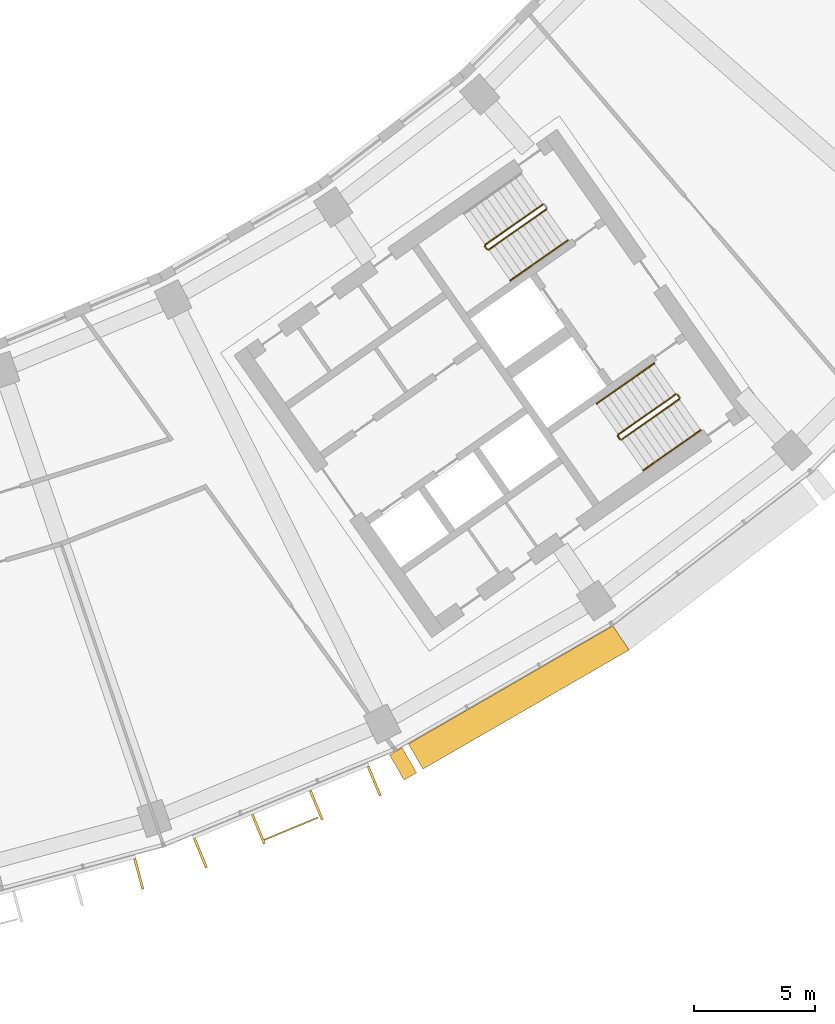
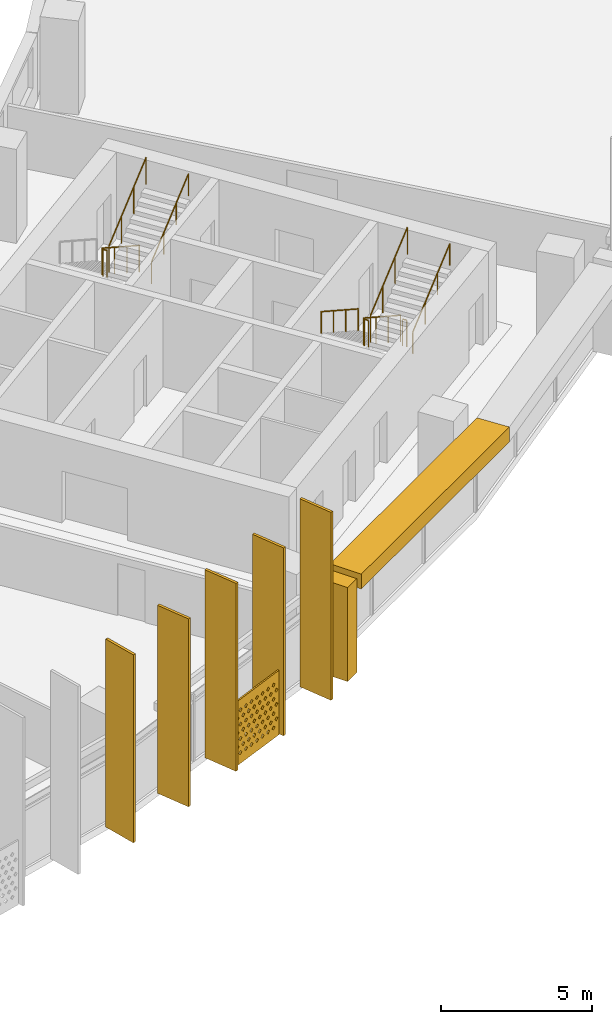
# One storey, part 25 of 27: 8 railings, 8 shading devices.
"""IFC4 building model written with IfcOpenShell, lengths in metres."""

from ifc_helpers import new_model, si_unit, direction, frame, origin, origin_2d, place, context, subcontext, project, spatial, polyline, rectangle, circle, outline, extrude, material, material_profile, profile_set, type_object, element, save


model = new_model("IFC4")

# Units and contexts
model_context = context("Model", 3, precision=1e-05, world=origin(), true_north=direction((0.0, 1.0)))
body_context = subcontext(model_context, "Body", "Model", "MODEL_VIEW")
ifc_project = project(units=[si_unit("LENGTHUNIT", "METRE"), si_unit("AREAUNIT", "SQUARE_METRE"), si_unit("VOLUMEUNIT", "CUBIC_METRE"), si_unit("PLANEANGLEUNIT", "RADIAN"), si_unit("MASSUNIT", "GRAM", prefix="KILO")], contexts=[model_context])

# Site, building, storey
site_placement = place(None, origin())
site = spatial("IfcSite", under=ifc_project, at=site_placement, CompositionType="ELEMENT")
building_placement = place(site_placement, origin())
building = spatial("IfcBuilding", under=site, at=building_placement, Name="Qamariyya Broadcast Tower", CompositionType="ELEMENT")
storey_placement = place(building_placement, frame((0.0, 0.0, 164.5)))
storey = spatial("IfcBuildingStorey", under=building, at=storey_placement, Name="L38", CompositionType="ELEMENT", Elevation=164.5)

# Shading devices
ifc_material_1 = material(Name="Steel S355 powder coated deep red", Category="steel")
shading_device_type_1 = type_object("IfcShadingDeviceType", Name="Deep red frame, powder coated steel box section", PredefinedType="USERDEFINED", material=ifc_material_1)
shading_device_1_placement = place(storey_placement, origin())
element("IfcShadingDevice", 1, at=shading_device_1_placement, inside=storey, type_object=shading_device_type_1, Name="e-frm-B3-F4-posta-L38", ObjectType="FRAME", PredefinedType="USERDEFINED", context=body_context, shape_type="SweptSolid", body=[
    extrude(outline(polyline([(34.680908203125, -71.0029296875), (35.281005859375, -72.042236328125), (35.800537109375, -71.7421875), (35.20068359375, -70.702880859375), (34.680908203125, -71.0029296875)])), origin(), (0.0, 0.0, 1.0), 3.800048828125),
])
shading_device_2_placement = place(storey_placement, frame((0.0, 0.0, 3.199951171875)))
element("IfcShadingDevice", 2, at=shading_device_2_placement, inside=storey, type_object=shading_device_type_1, Name="e-frm-B3-F4-top0", ObjectType="FRAME", PredefinedType="USERDEFINED", context=body_context, shape_type="SweptSolid", body=[
    extrude(outline(polyline([(35.46044921875, -70.552978515625), (36.060302734375, -71.59228515625), (44.55810546875, -66.68603515625), (43.89013671875, -65.68603515625), (35.46044921875, -70.552978515625)])), origin(), (0.0, 0.0, 1.0), 0.60009765625),
])
ifc_material_2 = material(Name="Perforated glazed terracotta", Category="masonry")
ifc_material_profile_1 = material_profile(ifc_material_2, outline(polyline([(-1.199951171875, -1.300048828125), (1.199951171875, -1.300048828125), (1.199951171875, 1.300048828125), (-1.199951171875, 1.300048828125), (-1.199951171875, -1.300048828125)]), holes=[polyline([(-0.81494140625, -0.86669921875), (-0.89990234375, -0.78173828125), (-0.985107421875, -0.86669921875), (-0.89990234375, -0.95166015625), (-0.81494140625, -0.86669921875)]), polyline([(-0.514892578125, -0.86669921875), (-0.60009765625, -0.78173828125), (-0.68505859375, -0.86669921875), (-0.60009765625, -0.95166015625), (-0.514892578125, -0.86669921875)]), polyline([(-0.215087890625, -0.86669921875), (-0.300048828125, -0.78173828125), (-0.385009765625, -0.86669921875), (-0.300048828125, -0.95166015625), (-0.215087890625, -0.86669921875)]), polyline([(0.0849609375, -0.86669921875), (0.0, -0.78173828125), (-0.0849609375, -0.86669921875), (0.0, -0.95166015625), (0.0849609375, -0.86669921875)]), polyline([(0.385009765625, -0.86669921875), (0.300048828125, -0.78173828125), (0.215087890625, -0.86669921875), (0.300048828125, -0.95166015625), (0.385009765625, -0.86669921875)]), polyline([(0.68505859375, -0.86669921875), (0.60009765625, -0.78173828125), (0.514892578125, -0.86669921875), (0.60009765625, -0.95166015625), (0.68505859375, -0.86669921875)]), polyline([(0.985107421875, -0.86669921875), (0.89990234375, -0.78173828125), (0.81494140625, -0.86669921875), (0.89990234375, -0.95166015625), (0.985107421875, -0.86669921875)]), polyline([(-0.965087890625, -0.577880859375), (-1.050048828125, -0.49267578125), (-1.135009765625, -0.577880859375), (-1.050048828125, -0.662841796875), (-0.965087890625, -0.577880859375)]), polyline([(-0.6650390625, -0.577880859375), (-0.75, -0.49267578125), (-0.8349609375, -0.577880859375), (-0.75, -0.662841796875), (-0.6650390625, -0.577880859375)]), polyline([(-0.364990234375, -0.577880859375), (-0.449951171875, -0.49267578125), (-0.534912109375, -0.577880859375), (-0.449951171875, -0.662841796875), (-0.364990234375, -0.577880859375)]), polyline([(-0.06494140625, -0.577880859375), (-0.14990234375, -0.49267578125), (-0.235107421875, -0.577880859375), (-0.14990234375, -0.662841796875), (-0.06494140625, -0.577880859375)]), polyline([(0.235107421875, -0.577880859375), (0.14990234375, -0.49267578125), (0.06494140625, -0.577880859375), (0.14990234375, -0.662841796875), (0.235107421875, -0.577880859375)]), polyline([(0.534912109375, -0.577880859375), (0.449951171875, -0.49267578125), (0.364990234375, -0.577880859375), (0.449951171875, -0.662841796875), (0.534912109375, -0.577880859375)]), polyline([(0.8349609375, -0.577880859375), (0.75, -0.49267578125), (0.6650390625, -0.577880859375), (0.75, -0.662841796875), (0.8349609375, -0.577880859375)]), polyline([(1.135009765625, -0.577880859375), (1.050048828125, -0.49267578125), (0.965087890625, -0.577880859375), (1.050048828125, -0.662841796875), (1.135009765625, -0.577880859375)]), polyline([(-0.81494140625, -0.288818359375), (-0.89990234375, -0.203857421875), (-0.985107421875, -0.288818359375), (-0.89990234375, -0.373779296875), (-0.81494140625, -0.288818359375)]), polyline([(-0.514892578125, -0.288818359375), (-0.60009765625, -0.203857421875), (-0.68505859375, -0.288818359375), (-0.60009765625, -0.373779296875), (-0.514892578125, -0.288818359375)]), polyline([(-0.215087890625, -0.288818359375), (-0.300048828125, -0.203857421875), (-0.385009765625, -0.288818359375), (-0.300048828125, -0.373779296875), (-0.215087890625, -0.288818359375)]), polyline([(0.0849609375, -0.288818359375), (0.0, -0.203857421875), (-0.0849609375, -0.288818359375), (0.0, -0.373779296875), (0.0849609375, -0.288818359375)]), polyline([(0.385009765625, -0.288818359375), (0.300048828125, -0.203857421875), (0.215087890625, -0.288818359375), (0.300048828125, -0.373779296875), (0.385009765625, -0.288818359375)]), polyline([(0.68505859375, -0.288818359375), (0.60009765625, -0.203857421875), (0.514892578125, -0.288818359375), (0.60009765625, -0.373779296875), (0.68505859375, -0.288818359375)]), polyline([(0.985107421875, -0.288818359375), (0.89990234375, -0.203857421875), (0.81494140625, -0.288818359375), (0.89990234375, -0.373779296875), (0.985107421875, -0.288818359375)]), polyline([(-0.965087890625, 0.0), (-1.050048828125, 0.0849609375), (-1.135009765625, 0.0), (-1.050048828125, -0.0849609375), (-0.965087890625, 0.0)]), polyline([(-0.6650390625, 0.0), (-0.75, 0.0849609375), (-0.8349609375, 0.0), (-0.75, -0.0849609375), (-0.6650390625, 0.0)]), polyline([(-0.364990234375, 0.0), (-0.449951171875, 0.0849609375), (-0.534912109375, 0.0), (-0.449951171875, -0.0849609375), (-0.364990234375, 0.0)]), polyline([(-0.06494140625, 0.0), (-0.14990234375, 0.0849609375), (-0.235107421875, 0.0), (-0.14990234375, -0.0849609375), (-0.06494140625, 0.0)]), polyline([(0.235107421875, 0.0), (0.14990234375, 0.0849609375), (0.06494140625, 0.0), (0.14990234375, -0.0849609375), (0.235107421875, 0.0)]), polyline([(0.534912109375, 0.0), (0.449951171875, 0.0849609375), (0.364990234375, 0.0), (0.449951171875, -0.0849609375), (0.534912109375, 0.0)]), polyline([(0.8349609375, 0.0), (0.75, 0.0849609375), (0.6650390625, 0.0), (0.75, -0.0849609375), (0.8349609375, 0.0)]), polyline([(1.135009765625, 0.0), (1.050048828125, 0.0849609375), (0.965087890625, 0.0), (1.050048828125, -0.0849609375), (1.135009765625, 0.0)]), polyline([(-0.81494140625, 0.288818359375), (-0.89990234375, 0.373779296875), (-0.985107421875, 0.288818359375), (-0.89990234375, 0.203857421875), (-0.81494140625, 0.288818359375)]), polyline([(-0.514892578125, 0.288818359375), (-0.60009765625, 0.373779296875), (-0.68505859375, 0.288818359375), (-0.60009765625, 0.203857421875), (-0.514892578125, 0.288818359375)]), polyline([(-0.215087890625, 0.288818359375), (-0.300048828125, 0.373779296875), (-0.385009765625, 0.288818359375), (-0.300048828125, 0.203857421875), (-0.215087890625, 0.288818359375)]), polyline([(0.0849609375, 0.288818359375), (0.0, 0.373779296875), (-0.0849609375, 0.288818359375), (0.0, 0.203857421875), (0.0849609375, 0.288818359375)]), polyline([(0.385009765625, 0.288818359375), (0.300048828125, 0.373779296875), (0.215087890625, 0.288818359375), (0.300048828125, 0.203857421875), (0.385009765625, 0.288818359375)]), polyline([(0.68505859375, 0.288818359375), (0.60009765625, 0.373779296875), (0.514892578125, 0.288818359375), (0.60009765625, 0.203857421875), (0.68505859375, 0.288818359375)]), polyline([(0.985107421875, 0.288818359375), (0.89990234375, 0.373779296875), (0.81494140625, 0.288818359375), (0.89990234375, 0.203857421875), (0.985107421875, 0.288818359375)]), polyline([(-0.965087890625, 0.577880859375), (-1.050048828125, 0.662841796875), (-1.135009765625, 0.577880859375), (-1.050048828125, 0.49267578125), (-0.965087890625, 0.577880859375)]), polyline([(-0.6650390625, 0.577880859375), (-0.75, 0.662841796875), (-0.8349609375, 0.577880859375), (-0.75, 0.49267578125), (-0.6650390625, 0.577880859375)]), polyline([(-0.364990234375, 0.577880859375), (-0.449951171875, 0.662841796875), (-0.534912109375, 0.577880859375), (-0.449951171875, 0.49267578125), (-0.364990234375, 0.577880859375)]), polyline([(-0.06494140625, 0.577880859375), (-0.14990234375, 0.662841796875), (-0.235107421875, 0.577880859375), (-0.14990234375, 0.49267578125), (-0.06494140625, 0.577880859375)]), polyline([(0.235107421875, 0.577880859375), (0.14990234375, 0.662841796875), (0.06494140625, 0.577880859375), (0.14990234375, 0.49267578125), (0.235107421875, 0.577880859375)]), polyline([(0.534912109375, 0.577880859375), (0.449951171875, 0.662841796875), (0.364990234375, 0.577880859375), (0.449951171875, 0.49267578125), (0.534912109375, 0.577880859375)]), polyline([(0.8349609375, 0.577880859375), (0.75, 0.662841796875), (0.6650390625, 0.577880859375), (0.75, 0.49267578125), (0.8349609375, 0.577880859375)]), polyline([(1.135009765625, 0.577880859375), (1.050048828125, 0.662841796875), (0.965087890625, 0.577880859375), (1.050048828125, 0.49267578125), (1.135009765625, 0.577880859375)]), polyline([(-0.81494140625, 0.86669921875), (-0.89990234375, 0.95166015625), (-0.985107421875, 0.86669921875), (-0.89990234375, 0.78173828125), (-0.81494140625, 0.86669921875)]), polyline([(-0.514892578125, 0.86669921875), (-0.60009765625, 0.95166015625), (-0.68505859375, 0.86669921875), (-0.60009765625, 0.78173828125), (-0.514892578125, 0.86669921875)]), polyline([(-0.215087890625, 0.86669921875), (-0.300048828125, 0.95166015625), (-0.385009765625, 0.86669921875), (-0.300048828125, 0.78173828125), (-0.215087890625, 0.86669921875)]), polyline([(0.0849609375, 0.86669921875), (0.0, 0.95166015625), (-0.0849609375, 0.86669921875), (0.0, 0.78173828125), (0.0849609375, 0.86669921875)]), polyline([(0.385009765625, 0.86669921875), (0.300048828125, 0.95166015625), (0.215087890625, 0.86669921875), (0.300048828125, 0.78173828125), (0.385009765625, 0.86669921875)]), polyline([(0.68505859375, 0.86669921875), (0.60009765625, 0.95166015625), (0.514892578125, 0.86669921875), (0.60009765625, 0.78173828125), (0.68505859375, 0.86669921875)]), polyline([(0.985107421875, 0.86669921875), (0.89990234375, 0.95166015625), (0.81494140625, 0.86669921875), (0.89990234375, 0.78173828125), (0.985107421875, 0.86669921875)])]))
ifc_profile_set_1 = profile_set([ifc_material_profile_1], Name="Perforated glazed terracotta")
shading_device_type_2 = type_object("IfcShadingDeviceType", Name="Perforated terracotta screen 2400 x 2600", PredefinedType="USERDEFINED", material=ifc_profile_set_1)
shading_device_3_placement = place(storey_placement, frame((30.61474609375, -74.01953125, 1.35009765625), z_axis=(0.382591441855, -0.923917630863, 0.0), x_axis=(0.923917630863, 0.382591441855, 0.0)))
element("IfcShadingDevice", 3, at=shading_device_3_placement, inside=storey, type_object=shading_device_type_2, Name="e-scr-L38-10-1", ObjectType="SCREEN", PredefinedType="USERDEFINED", context=body_context, shape_type="SweptSolid", body=[
    extrude(outline(polyline([(-1.199951171875, -1.300048828125), (1.199951171875, -1.300048828125), (1.199951171875, 1.300048828125), (-1.199951171875, 1.300048828125), (-1.199951171875, -1.300048828125)]), holes=[polyline([(-0.81494140625, -0.86669921875), (-0.89990234375, -0.78173828125), (-0.985107421875, -0.86669921875), (-0.89990234375, -0.95166015625), (-0.81494140625, -0.86669921875)]), polyline([(-0.514892578125, -0.86669921875), (-0.60009765625, -0.78173828125), (-0.68505859375, -0.86669921875), (-0.60009765625, -0.95166015625), (-0.514892578125, -0.86669921875)]), polyline([(-0.215087890625, -0.86669921875), (-0.300048828125, -0.78173828125), (-0.385009765625, -0.86669921875), (-0.300048828125, -0.95166015625), (-0.215087890625, -0.86669921875)]), polyline([(0.0849609375, -0.86669921875), (0.0, -0.78173828125), (-0.0849609375, -0.86669921875), (0.0, -0.95166015625), (0.0849609375, -0.86669921875)]), polyline([(0.385009765625, -0.86669921875), (0.300048828125, -0.78173828125), (0.215087890625, -0.86669921875), (0.300048828125, -0.95166015625), (0.385009765625, -0.86669921875)]), polyline([(0.68505859375, -0.86669921875), (0.60009765625, -0.78173828125), (0.514892578125, -0.86669921875), (0.60009765625, -0.95166015625), (0.68505859375, -0.86669921875)]), polyline([(0.985107421875, -0.86669921875), (0.89990234375, -0.78173828125), (0.81494140625, -0.86669921875), (0.89990234375, -0.95166015625), (0.985107421875, -0.86669921875)]), polyline([(-0.965087890625, -0.577880859375), (-1.050048828125, -0.49267578125), (-1.135009765625, -0.577880859375), (-1.050048828125, -0.662841796875), (-0.965087890625, -0.577880859375)]), polyline([(-0.6650390625, -0.577880859375), (-0.75, -0.49267578125), (-0.8349609375, -0.577880859375), (-0.75, -0.662841796875), (-0.6650390625, -0.577880859375)]), polyline([(-0.364990234375, -0.577880859375), (-0.449951171875, -0.49267578125), (-0.534912109375, -0.577880859375), (-0.449951171875, -0.662841796875), (-0.364990234375, -0.577880859375)]), polyline([(-0.06494140625, -0.577880859375), (-0.14990234375, -0.49267578125), (-0.235107421875, -0.577880859375), (-0.14990234375, -0.662841796875), (-0.06494140625, -0.577880859375)]), polyline([(0.235107421875, -0.577880859375), (0.14990234375, -0.49267578125), (0.06494140625, -0.577880859375), (0.14990234375, -0.662841796875), (0.235107421875, -0.577880859375)]), polyline([(0.534912109375, -0.577880859375), (0.449951171875, -0.49267578125), (0.364990234375, -0.577880859375), (0.449951171875, -0.662841796875), (0.534912109375, -0.577880859375)]), polyline([(0.8349609375, -0.577880859375), (0.75, -0.49267578125), (0.6650390625, -0.577880859375), (0.75, -0.662841796875), (0.8349609375, -0.577880859375)]), polyline([(1.135009765625, -0.577880859375), (1.050048828125, -0.49267578125), (0.965087890625, -0.577880859375), (1.050048828125, -0.662841796875), (1.135009765625, -0.577880859375)]), polyline([(-0.81494140625, -0.288818359375), (-0.89990234375, -0.203857421875), (-0.985107421875, -0.288818359375), (-0.89990234375, -0.373779296875), (-0.81494140625, -0.288818359375)]), polyline([(-0.514892578125, -0.288818359375), (-0.60009765625, -0.203857421875), (-0.68505859375, -0.288818359375), (-0.60009765625, -0.373779296875), (-0.514892578125, -0.288818359375)]), polyline([(-0.215087890625, -0.288818359375), (-0.300048828125, -0.203857421875), (-0.385009765625, -0.288818359375), (-0.300048828125, -0.373779296875), (-0.215087890625, -0.288818359375)]), polyline([(0.0849609375, -0.288818359375), (0.0, -0.203857421875), (-0.0849609375, -0.288818359375), (0.0, -0.373779296875), (0.0849609375, -0.288818359375)]), polyline([(0.385009765625, -0.288818359375), (0.300048828125, -0.203857421875), (0.215087890625, -0.288818359375), (0.300048828125, -0.373779296875), (0.385009765625, -0.288818359375)]), polyline([(0.68505859375, -0.288818359375), (0.60009765625, -0.203857421875), (0.514892578125, -0.288818359375), (0.60009765625, -0.373779296875), (0.68505859375, -0.288818359375)]), polyline([(0.985107421875, -0.288818359375), (0.89990234375, -0.203857421875), (0.81494140625, -0.288818359375), (0.89990234375, -0.373779296875), (0.985107421875, -0.288818359375)]), polyline([(-0.965087890625, 0.0), (-1.050048828125, 0.0849609375), (-1.135009765625, 0.0), (-1.050048828125, -0.0849609375), (-0.965087890625, 0.0)]), polyline([(-0.6650390625, 0.0), (-0.75, 0.0849609375), (-0.8349609375, 0.0), (-0.75, -0.0849609375), (-0.6650390625, 0.0)]), polyline([(-0.364990234375, 0.0), (-0.449951171875, 0.0849609375), (-0.534912109375, 0.0), (-0.449951171875, -0.0849609375), (-0.364990234375, 0.0)]), polyline([(-0.06494140625, 0.0), (-0.14990234375, 0.0849609375), (-0.235107421875, 0.0), (-0.14990234375, -0.0849609375), (-0.06494140625, 0.0)]), polyline([(0.235107421875, 0.0), (0.14990234375, 0.0849609375), (0.06494140625, 0.0), (0.14990234375, -0.0849609375), (0.235107421875, 0.0)]), polyline([(0.534912109375, 0.0), (0.449951171875, 0.0849609375), (0.364990234375, 0.0), (0.449951171875, -0.0849609375), (0.534912109375, 0.0)]), polyline([(0.8349609375, 0.0), (0.75, 0.0849609375), (0.6650390625, 0.0), (0.75, -0.0849609375), (0.8349609375, 0.0)]), polyline([(1.135009765625, 0.0), (1.050048828125, 0.0849609375), (0.965087890625, 0.0), (1.050048828125, -0.0849609375), (1.135009765625, 0.0)]), polyline([(-0.81494140625, 0.288818359375), (-0.89990234375, 0.373779296875), (-0.985107421875, 0.288818359375), (-0.89990234375, 0.203857421875), (-0.81494140625, 0.288818359375)]), polyline([(-0.514892578125, 0.288818359375), (-0.60009765625, 0.373779296875), (-0.68505859375, 0.288818359375), (-0.60009765625, 0.203857421875), (-0.514892578125, 0.288818359375)]), polyline([(-0.215087890625, 0.288818359375), (-0.300048828125, 0.373779296875), (-0.385009765625, 0.288818359375), (-0.300048828125, 0.203857421875), (-0.215087890625, 0.288818359375)]), polyline([(0.0849609375, 0.288818359375), (0.0, 0.373779296875), (-0.0849609375, 0.288818359375), (0.0, 0.203857421875), (0.0849609375, 0.288818359375)]), polyline([(0.385009765625, 0.288818359375), (0.300048828125, 0.373779296875), (0.215087890625, 0.288818359375), (0.300048828125, 0.203857421875), (0.385009765625, 0.288818359375)]), polyline([(0.68505859375, 0.288818359375), (0.60009765625, 0.373779296875), (0.514892578125, 0.288818359375), (0.60009765625, 0.203857421875), (0.68505859375, 0.288818359375)]), polyline([(0.985107421875, 0.288818359375), (0.89990234375, 0.373779296875), (0.81494140625, 0.288818359375), (0.89990234375, 0.203857421875), (0.985107421875, 0.288818359375)]), polyline([(-0.965087890625, 0.577880859375), (-1.050048828125, 0.662841796875), (-1.135009765625, 0.577880859375), (-1.050048828125, 0.49267578125), (-0.965087890625, 0.577880859375)]), polyline([(-0.6650390625, 0.577880859375), (-0.75, 0.662841796875), (-0.8349609375, 0.577880859375), (-0.75, 0.49267578125), (-0.6650390625, 0.577880859375)]), polyline([(-0.364990234375, 0.577880859375), (-0.449951171875, 0.662841796875), (-0.534912109375, 0.577880859375), (-0.449951171875, 0.49267578125), (-0.364990234375, 0.577880859375)]), polyline([(-0.06494140625, 0.577880859375), (-0.14990234375, 0.662841796875), (-0.235107421875, 0.577880859375), (-0.14990234375, 0.49267578125), (-0.06494140625, 0.577880859375)]), polyline([(0.235107421875, 0.577880859375), (0.14990234375, 0.662841796875), (0.06494140625, 0.577880859375), (0.14990234375, 0.49267578125), (0.235107421875, 0.577880859375)]), polyline([(0.534912109375, 0.577880859375), (0.449951171875, 0.662841796875), (0.364990234375, 0.577880859375), (0.449951171875, 0.49267578125), (0.534912109375, 0.577880859375)]), polyline([(0.8349609375, 0.577880859375), (0.75, 0.662841796875), (0.6650390625, 0.577880859375), (0.75, 0.49267578125), (0.8349609375, 0.577880859375)]), polyline([(1.135009765625, 0.577880859375), (1.050048828125, 0.662841796875), (0.965087890625, 0.577880859375), (1.050048828125, 0.49267578125), (1.135009765625, 0.577880859375)]), polyline([(-0.81494140625, 0.86669921875), (-0.89990234375, 0.95166015625), (-0.985107421875, 0.86669921875), (-0.89990234375, 0.78173828125), (-0.81494140625, 0.86669921875)]), polyline([(-0.514892578125, 0.86669921875), (-0.60009765625, 0.95166015625), (-0.68505859375, 0.86669921875), (-0.60009765625, 0.78173828125), (-0.514892578125, 0.86669921875)]), polyline([(-0.215087890625, 0.86669921875), (-0.300048828125, 0.95166015625), (-0.385009765625, 0.86669921875), (-0.300048828125, 0.78173828125), (-0.215087890625, 0.86669921875)]), polyline([(0.0849609375, 0.86669921875), (0.0, 0.95166015625), (-0.0849609375, 0.86669921875), (0.0, 0.78173828125), (0.0849609375, 0.86669921875)]), polyline([(0.385009765625, 0.86669921875), (0.300048828125, 0.95166015625), (0.215087890625, 0.86669921875), (0.300048828125, 0.78173828125), (0.385009765625, 0.86669921875)]), polyline([(0.68505859375, 0.86669921875), (0.60009765625, 0.95166015625), (0.514892578125, 0.86669921875), (0.60009765625, 0.78173828125), (0.68505859375, 0.86669921875)]), polyline([(0.985107421875, 0.86669921875), (0.89990234375, 0.95166015625), (0.81494140625, 0.86669921875), (0.89990234375, 0.78173828125), (0.985107421875, 0.86669921875)])]), origin(), (0.0, 0.0, 1.0), 0.06005859375),
])

# Railings
ifc_material_3 = material(Name="Painted steel", Category="steel")
railing_type_1 = type_object("IfcRailingType", Name="Stair guard", PredefinedType="GUARDRAIL", material=ifc_material_3)
railing_1_placement = place(storey_placement, frame((41.003173828125, -48.320068359375, 0.172607421875)))
element("IfcRailing", 4, at=railing_1_placement, inside=storey, type_object=railing_type_1, Name="L38 ST-E2 stair guard 1", PredefinedType="GUARDRAIL", context=body_context, shape_type="SweptSolid", body=[
    extrude(circle(Radius=0.02392578125, at=origin_2d()), frame((0.0, 0.0, 1.076171875), z_axis=(-0.703770094002, -0.492783725636, 0.511734163933), x_axis=(0.573575343427, -0.819152809562, 0.0)), (0.0, 0.0, 1.0), 3.37548828125),
    extrude(circle(Radius=0.02392578125, at=origin_2d()), frame((-2.37548828125, -1.663330078125, 2.80322265625), z_axis=(-0.172799478008, -0.984957024646, 0.0), x_axis=(0.984957024646, -0.172799478008, 0.0)), (0.0, 0.0, 1.0), 0.070556640625),
    extrude(circle(Radius=0.02392578125, at=origin_2d()), frame((-2.3876953125, -1.73291015625, 2.80322265625), z_axis=(0.572588637393, -0.819842821722, 0.0), x_axis=(0.819842821722, 0.572588637393, 0.0)), (0.0, 0.0, 1.0), 0.150146484375),
    extrude(circle(Radius=0.02099609375, at=origin_2d()), origin(), (0.0, 0.0, 1.0), 1.052001953125),
    extrude(circle(Radius=0.02099609375, at=origin_2d()), frame((-0.791748046875, -0.554443359375, 0.57568359375)), (0.0, 0.0, 1.0), 1.052001953125),
    extrude(circle(Radius=0.02099609375, at=origin_2d()), frame((-1.583740234375, -1.10888671875, 1.151611328125)), (0.0, 0.0, 1.0), 1.052001953125),
    extrude(circle(Radius=0.02099609375, at=origin_2d()), frame((-2.37548828125, -1.663330078125, 1.727294921875)), (0.0, 0.0, 1.0), 1.052001953125),
    extrude(circle(Radius=0.02099609375, at=origin_2d()), frame((-2.3876953125, -1.73291015625, 1.727294921875)), (0.0, 0.0, 1.0), 1.052001953125),
    extrude(circle(Radius=0.02099609375, at=origin_2d()), frame((-2.3017578125, -1.85595703125, 1.727294921875)), (0.0, 0.0, 1.0), 1.052001953125),
])
railing_2_placement = place(storey_placement, frame((38.771240234375, -50.188232421875, 2.07275390625)))
element("IfcRailing", 5, at=railing_2_placement, inside=storey, type_object=railing_type_1, Name="L38 ST-E2 stair guard 2", PredefinedType="GUARDRAIL", context=body_context, shape_type="SweptSolid", body=[
    extrude(circle(Radius=0.02392578125, at=origin_2d()), frame((0.0, 0.0, 1.076171875), z_axis=(0.703770094002, 0.492783725636, 0.511734163933), x_axis=(-0.573575343427, 0.819152809562, 0.0)), (0.0, 0.0, 1.0), 3.37548828125),
    extrude(circle(Radius=0.02099609375, at=origin_2d()), origin(), (0.0, 0.0, 1.0), 1.052001953125),
    extrude(circle(Radius=0.02099609375, at=origin_2d()), frame((0.791748046875, 0.554443359375, 0.57568359375)), (0.0, 0.0, 1.0), 1.052001953125),
    extrude(circle(Radius=0.02099609375, at=origin_2d()), frame((1.583740234375, 1.10888671875, 1.151611328125)), (0.0, 0.0, 1.0), 1.052001953125),
    extrude(circle(Radius=0.02099609375, at=origin_2d()), frame((2.37548828125, 1.663330078125, 1.727294921875)), (0.0, 0.0, 1.0), 1.052001953125),
])
railing_3_placement = place(storey_placement, frame((46.48095703125, -56.14306640625, 0.172607421875)))
element("IfcRailing", 6, at=railing_3_placement, inside=storey, type_object=railing_type_1, Name="L38 ST-E1 stair guard 1", PredefinedType="GUARDRAIL", context=body_context, shape_type="SweptSolid", body=[
    extrude(circle(Radius=0.02392578125, at=origin_2d()), frame((0.0, 0.0, 1.076171875), z_axis=(-0.703770094002, -0.492783725636, 0.511734163933), x_axis=(0.573575343427, -0.819152809562, 0.0)), (0.0, 0.0, 1.0), 3.37548828125),
    extrude(circle(Radius=0.02392578125, at=origin_2d()), frame((-2.37548828125, -1.663330078125, 2.80322265625), z_axis=(-0.176149252506, -0.984363469884, 0.0), x_axis=(0.984363469884, -0.176149252506, 0.0)), (0.0, 0.0, 1.0), 0.07080078125),
    extrude(circle(Radius=0.02392578125, at=origin_2d()), frame((-2.387939453125, -1.73291015625, 2.80322265625), z_axis=(0.574444878118, -0.818543268254, 0.0), x_axis=(0.818543268254, 0.574444878118, 0.0)), (0.0, 0.0, 1.0), 0.150146484375),
    extrude(circle(Radius=0.02099609375, at=origin_2d()), origin(), (0.0, 0.0, 1.0), 1.052001953125),
    extrude(circle(Radius=0.02099609375, at=origin_2d()), frame((-0.791748046875, -0.554443359375, 0.57568359375)), (0.0, 0.0, 1.0), 1.052001953125),
    extrude(circle(Radius=0.02099609375, at=origin_2d()), frame((-1.583740234375, -1.10888671875, 1.151611328125)), (0.0, 0.0, 1.0), 1.052001953125),
    extrude(circle(Radius=0.02099609375, at=origin_2d()), frame((-2.37548828125, -1.663330078125, 1.727294921875)), (0.0, 0.0, 1.0), 1.052001953125),
    extrude(circle(Radius=0.02099609375, at=origin_2d()), frame((-2.387939453125, -1.73291015625, 1.727294921875)), (0.0, 0.0, 1.0), 1.052001953125),
    extrude(circle(Radius=0.02099609375, at=origin_2d()), frame((-2.3017578125, -1.855712890625, 1.727294921875)), (0.0, 0.0, 1.0), 1.052001953125),
])
railing_4_placement = place(storey_placement, frame((44.248779296875, -58.01123046875, 2.07275390625)))
element("IfcRailing", 7, at=railing_4_placement, inside=storey, type_object=railing_type_1, Name="L38 ST-E1 stair guard 2", PredefinedType="GUARDRAIL", context=body_context, shape_type="SweptSolid", body=[
    extrude(circle(Radius=0.02392578125, at=origin_2d()), frame((0.0, 0.0, 1.076171875), z_axis=(0.703745009021, 0.492838488332, 0.511715923826), x_axis=(-0.573631830683, 0.819113253969, 0.0)), (0.0, 0.0, 1.0), 3.37548828125),
    extrude(circle(Radius=0.02099609375, at=origin_2d()), origin(), (0.0, 0.0, 1.0), 1.052001953125),
    extrude(circle(Radius=0.02099609375, at=origin_2d()), frame((0.791748046875, 0.554443359375, 0.57568359375)), (0.0, 0.0, 1.0), 1.052001953125),
    extrude(circle(Radius=0.02099609375, at=origin_2d()), frame((1.583740234375, 1.109130859375, 1.151611328125)), (0.0, 0.0, 1.0), 1.052001953125),
    extrude(circle(Radius=0.02099609375, at=origin_2d()), frame((2.37548828125, 1.66357421875, 1.727294921875)), (0.0, 0.0, 1.0), 1.052001953125),
])
railing_5_placement = place(storey_placement, frame((46.550537109375, -56.1552734375, 0.0)))
element("IfcRailing", 8, at=railing_5_placement, inside=storey, type_object=railing_type_1, Name="L38 ST-E1 stair guard 3", PredefinedType="GUARDRAIL", context=body_context, shape_type="SweptSolid", body=[
    extrude(circle(Radius=0.02392578125, at=origin_2d()), frame((0.0, 0.0, 1.076171875), z_axis=(0.574444878118, -0.818543268254, 0.0), x_axis=(0.818543268254, 0.574444878118, 0.0)), (0.0, 0.0, 1.0), 0.150146484375),
    extrude(circle(Radius=0.02099609375, at=origin_2d()), origin(), (0.0, 0.0, 1.0), 1.052001953125),
    extrude(circle(Radius=0.02099609375, at=origin_2d()), frame((0.086181640625, -0.122802734375, 0.0)), (0.0, 0.0, 1.0), 1.052001953125),
])
ifc_material_4 = material(Name="Stainless steel", Category="steel")
railing_type_2 = type_object("IfcRailingType", Name="Stair handrail", PredefinedType="HANDRAIL", material=ifc_material_4)
railing_6_placement = place(storey_placement, frame((39.66015625, -51.4580078125, 2.07275390625)))
element("IfcRailing", 9, at=railing_6_placement, inside=storey, type_object=railing_type_2, Name="L38 ST-E2 stair handrail 2", PredefinedType="HANDRAIL", context=body_context, shape_type="SweptSolid", body=[
    extrude(circle(Radius=0.02392578125, at=origin_2d()), frame((0.0, 0.0, 0.8759765625), z_axis=(0.703745009021, 0.492838488332, 0.511715923826), x_axis=(-0.573631830683, 0.819113253969, 0.0)), (0.0, 0.0, 1.0), 3.37548828125),
    extrude(circle(Radius=0.02099609375, at=origin_2d()), origin(), (0.0, 0.0, 1.0), 0.851806640625),
    extrude(circle(Radius=0.02099609375, at=origin_2d()), frame((0.791748046875, 0.554443359375, 0.57568359375)), (0.0, 0.0, 1.0), 0.851806640625),
    extrude(circle(Radius=0.02099609375, at=origin_2d()), frame((1.583740234375, 1.109130859375, 1.151611328125)), (0.0, 0.0, 1.0), 0.851806640625),
    extrude(circle(Radius=0.02099609375, at=origin_2d()), frame((2.37548828125, 1.66357421875, 1.727294921875)), (0.0, 0.0, 1.0), 0.851806640625),
])
railing_7_placement = place(storey_placement, frame((45.591796875, -54.873291015625, 0.172607421875)))
element("IfcRailing", 10, at=railing_7_placement, inside=storey, type_object=railing_type_2, Name="L38 ST-E1 stair handrail 1", PredefinedType="HANDRAIL", context=body_context, shape_type="SweptSolid", body=[
    extrude(circle(Radius=0.02392578125, at=origin_2d()), frame((0.0, 0.0, 0.8759765625), z_axis=(-0.703770094002, -0.492783725636, 0.511734163933), x_axis=(0.573575343427, -0.819152809562, 0.0)), (0.0, 0.0, 1.0), 3.37548828125),
    extrude(circle(Radius=0.02099609375, at=origin_2d()), origin(), (0.0, 0.0, 1.0), 0.851806640625),
    extrude(circle(Radius=0.02099609375, at=origin_2d()), frame((-0.791748046875, -0.554443359375, 0.57568359375)), (0.0, 0.0, 1.0), 0.851806640625),
    extrude(circle(Radius=0.02099609375, at=origin_2d()), frame((-1.583740234375, -1.10888671875, 1.151611328125)), (0.0, 0.0, 1.0), 0.851806640625),
    extrude(circle(Radius=0.02099609375, at=origin_2d()), frame((-2.37548828125, -1.663330078125, 1.727294921875)), (0.0, 0.0, 1.0), 0.851806640625),
])
railing_8_placement = place(storey_placement, frame((45.137939453125, -59.28076171875, 2.07275390625)))
element("IfcRailing", 11, at=railing_8_placement, inside=storey, type_object=railing_type_2, Name="L38 ST-E1 stair handrail 2", PredefinedType="HANDRAIL", context=body_context, shape_type="SweptSolid", body=[
    extrude(circle(Radius=0.02392578125, at=origin_2d()), frame((0.0, 0.0, 0.8759765625), z_axis=(0.703770094002, 0.492783725636, 0.511734163933), x_axis=(-0.573575343427, 0.819152809562, 0.0)), (0.0, 0.0, 1.0), 3.37548828125),
    extrude(circle(Radius=0.02099609375, at=origin_2d()), origin(), (0.0, 0.0, 1.0), 0.851806640625),
    extrude(circle(Radius=0.02099609375, at=origin_2d()), frame((0.791748046875, 0.554443359375, 0.57568359375)), (0.0, 0.0, 1.0), 0.851806640625),
    extrude(circle(Radius=0.02099609375, at=origin_2d()), frame((1.583740234375, 1.10888671875, 1.151611328125)), (0.0, 0.0, 1.0), 0.851806640625),
    extrude(circle(Radius=0.02099609375, at=origin_2d()), frame((2.37548828125, 1.663330078125, 1.727294921875)), (0.0, 0.0, 1.0), 0.851806640625),
])

# Shading devices
ifc_material_5 = material(Name="Glazed terracotta", Category="masonry")
ifc_material_profile_2 = material_profile(ifc_material_5, rectangle(XDim=1.300048828125, YDim=0.10009765625, at=origin_2d()))
ifc_profile_set_2 = profile_set([ifc_material_profile_2], Name="Glazed terracotta")
shading_device_type_3 = type_object("IfcShadingDeviceType", Name="Terracotta fin 100 x 1300", PredefinedType="USERDEFINED", material=ifc_profile_set_2)
for number, where, z_axis, x_axis, name in (
    (12, (24.35302734375, -75.91455078125, 0.0), (0.0, 0.0, 1.0), (0.258819045103, -0.965925826289, 0.0), "e-fin-L38-09-3"),
    (13, (26.893310546875, -75.05224609375, 0.0), (0.0, 0.0, 1.0), (0.382683432365, -0.923879532511, 0.0), "e-fin-L38-10-0"),
    (14, (29.280029296875, -74.063720703125, 0.0), (0.0, 0.0, 1.0), (0.382683432365, -0.923879532511, 0.0), "e-fin-L38-10-1"),
    (15, (31.666748046875, -73.074951171875, 0.0), (0.0, 0.0, 1.0), (0.382683432365, -0.923879532511, 0.0), "e-fin-L38-10-2"),
    (16, (34.053466796875, -72.08642578125, 0.0), (0.0, 0.0, 1.0), (0.382683432365, -0.923879532511, 0.0), "e-fin-L38-10-3"),
):
    element("IfcShadingDevice", number, at=place(storey_placement, frame(where, z_axis=z_axis, x_axis=x_axis)), inside=storey, type_object=shading_device_type_3, Name=name, ObjectType="FIN", PredefinedType="USERDEFINED", context=body_context, shape_type="SweptSolid", body=[
        extrude(rectangle(XDim=1.300048828125, YDim=0.10009765625, at=origin_2d()), origin(), (0.0, 0.0, 1.0), 7.60009765625),
    ])

save(model, "model.ifc")
